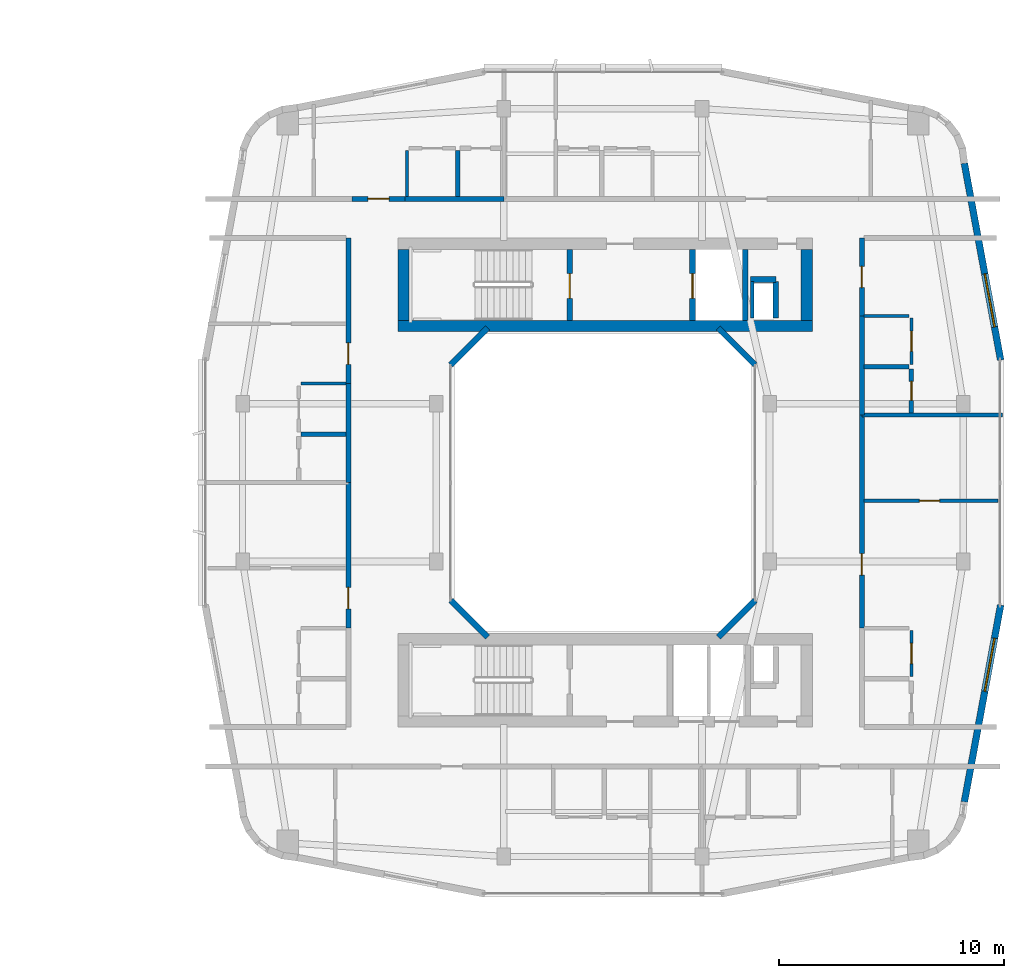
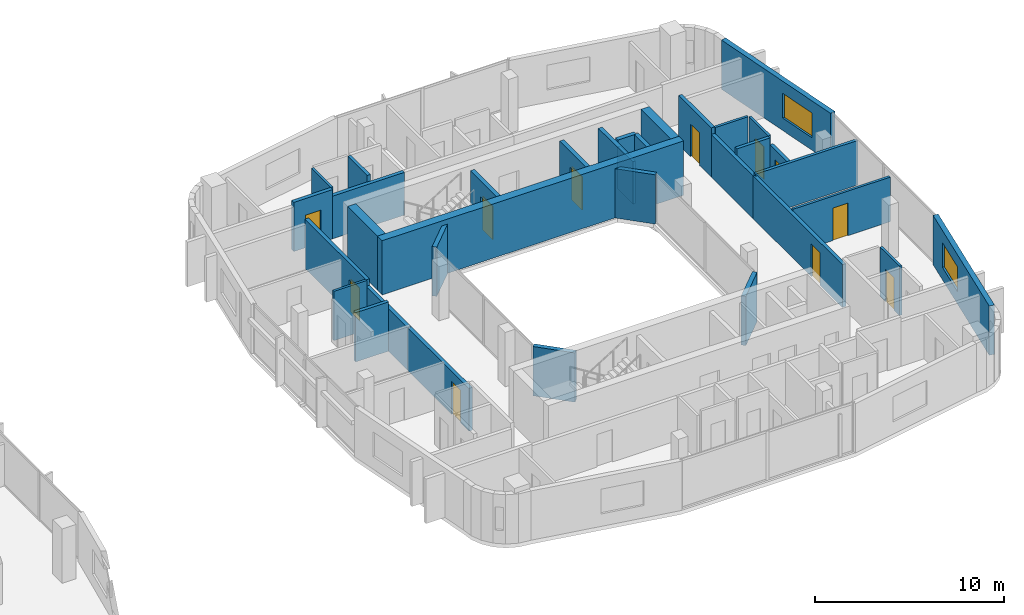
# One storey, part 18 of 25: 34 walls, 11 doors, 2 windows, 13 openings.
"""IFC4 building model written with IfcOpenShell, lengths in metres."""

from ifc_helpers import new_model, si_unit, derived_unit, direction, frame, frame_2d, origin, place, context, subcontext, project, spatial, rectangle, extrude, material, layer, layer_set, type_object, element, fill, save


model = new_model("IFC4")

# Units and contexts
model_context = context("Model", 3, precision=1e-05, world=origin(), true_north=direction((0.0, 1.0)))
body_context = subcontext(model_context, "Body", "Model", "MODEL_VIEW")
ifc_project = project(units=[si_unit("LENGTHUNIT", "METRE"), si_unit("AREAUNIT", "SQUARE_METRE"), si_unit("VOLUMEUNIT", "CUBIC_METRE"), si_unit("PLANEANGLEUNIT", "RADIAN"), si_unit("MASSUNIT", "GRAM", prefix="KILO"), derived_unit("THERMALTRANSMITTANCEUNIT", [(si_unit("POWERUNIT", "WATT"), 1), (si_unit("LENGTHUNIT", "METRE"), -2), (si_unit("THERMODYNAMICTEMPERATUREUNIT", "KELVIN"), -1)])], contexts=[model_context])

# Site, building, storey
site_placement = place(None, origin())
site = spatial("IfcSite", under=ifc_project, at=site_placement, CompositionType="ELEMENT")
building_placement = place(site_placement, origin())
building = spatial("IfcBuilding", under=site, at=building_placement, Name="Kivonza Crest Hotel", CompositionType="ELEMENT")
storey_placement = place(building_placement, frame((0.0, 0.0, 87.0)))
storey = spatial("IfcBuildingStorey", under=building, at=storey_placement, Name="L23", CompositionType="ELEMENT", Elevation=87.0)

# Walls
ifc_material_1 = material(Name="High-density acoustic masonry inter-tenancy wall", Category="masonry")
ifc_layer_1 = layer(ifc_material_1, 0.179931640625)
ifc_layer_set_1 = layer_set([ifc_layer_1], Name="High-density acoustic masonry inter-tenancy wall")
wall_type_1 = type_object("IfcWallType", Name="WL-ACOU-180", PredefinedType="SOLIDWALL", material=ifc_layer_set_1)
wall_1_placement = place(storey_placement, frame((88.5, 28.0, 0.0), z_axis=(0.0, 0.0, 1.0), x_axis=(1.0, 0.0, 0.0)))
element("IfcWall", 1, at=wall_1_placement, inside=storey, type_object=wall_type_1, Name="L23 interior partition WA-L23-T2E-DIV1", PredefinedType="SOLIDWALL", context=body_context, shape_type="SweptSolid", body=[
    extrude(rectangle(XDim=6.239990234375, YDim=0.179931640625, at=frame_2d((3.1201171875, 0.0))), origin(), (0.0, 0.0, 1.0), 2.875),
])
ifc_material_2 = material(Name="Autoclaved aerated concrete blockwork", Category="masonry")
ifc_layer_2 = layer(ifc_material_2, 0.219970703125)
ifc_layer_set_2 = layer_set([ifc_layer_2], Name="Autoclaved aerated concrete blockwork")
wall_type_2 = type_object("IfcWallType", Name="WL-ACOU-220", PredefinedType="SOLIDWALL", material=ifc_layer_set_2)
wall_2_placement = place(storey_placement, frame((68.219970703125, 37.60009765625, 0.0), z_axis=(0.0, 0.0, 1.0), x_axis=(1.0, 0.0, 0.0)))
element("IfcWall", 2, at=wall_2_placement, inside=storey, type_object=wall_type_2, Name="L23 interior partition WA-L23-A01-RCORR", PredefinedType="SOLIDWALL", context=body_context, shape_type="SweptSolid", body=[
    extrude(rectangle(XDim=4.380126953125, YDim=0.219970703125, at=frame_2d((2.18994140625, 0.0))), origin(), (0.0, 0.0, 1.0), 2.7548828125),
])

# Wall, opening, door
wall_3_placement = place(storey_placement, frame((65.85009765625, 37.60009765625, 0.0), z_axis=(0.0, 0.0, 1.0), x_axis=(1.0, 0.0, 0.0)))
wall_3 = element("IfcWall", 3, at=wall_3_placement, inside=storey, type_object=wall_type_2, Name="L23 interior partition WA-L23-A01-MCORR", PredefinedType="SOLIDWALL", context=body_context, shape_type="SweptSolid", body=[
    extrude(rectangle(XDim=2.369873046875, YDim=0.219970703125, at=frame_2d((1.18505859375, 0.0))), origin(), (0.0, 0.0, 1.0), 3.179931640625),
])
opening_1_placement = place(wall_3_placement, frame((0.7099609375, 0.0, 0.0)))
opening_1 = element("IfcOpeningElement", 4, at=opening_1_placement, cuts=wall_3, Name="Opening DU-60", PredefinedType="OPENING", context=body_context, shape_type="SweptSolid", body=[
    extrude(rectangle(XDim=0.949951171875, YDim=2.10009765625, at=frame_2d((0.47509765625, 1.050048828125))), frame((0.0, 0.1201171875, 0.0), z_axis=(0.0, -1.0, 0.0), x_axis=(1.0, 0.0, 0.0)), (0.0, 0.0, 1.0), 0.239990234375),
])
ifc_material_3 = material(Name="Hardwood timber oak", Category="wood")
door_type_1 = type_object("IfcDoorType", Name="DR-UNIT-950", OperationType="NOTDEFINED", PredefinedType="DOOR", material=ifc_material_3)
door_1_placement = place(opening_1_placement, origin())
door_1 = element("IfcDoor", 5, at=door_1_placement, inside=storey, type_object=door_type_1, Name="L23 A01 apartment entrance fire door", OperationType="SINGLE_SWING_LEFT", OverallHeight=2.10009765625, OverallWidth=0.949951171875, PredefinedType="DOOR", context=body_context, shape_type="SweptSolid", body=[
    extrude(rectangle(XDim=0.949951171875, YDim=2.10009765625, at=frame_2d((0.47509765625, 1.050048828125))), frame((0.0, 0.02490234375, 0.0), z_axis=(0.0, -1.0, 0.0), x_axis=(1.0, 0.0, 0.0)), (0.0, 0.0, 1.0), 0.050048828125),
])
fill(opening_1, door_1)

wall_4_placement = place(storey_placement, frame((65.699951171875, 18.5400390625, 0.0), z_axis=(0.0, 0.0, 1.0), x_axis=(0.0, 1.0, 0.0)))
wall_4 = element("IfcWall", 6, at=wall_4_placement, inside=storey, type_object=wall_type_2, Name="L23 interior partition WA-L23-A05-MCORR", PredefinedType="SOLIDWALL", context=body_context, shape_type="SweptSolid", body=[
    extrude(rectangle(XDim=6.4599609375, YDim=0.219970703125, at=frame_2d((3.22998046875, 0.0))), origin(), (0.0, 0.0, 1.0), 2.7548828125),
])
opening_2_placement = place(wall_4_placement, frame((0.85498046875, 0.0, 0.0)))
opening_2 = element("IfcOpeningElement", 7, at=opening_2_placement, cuts=wall_4, Name="Opening DU-60", PredefinedType="OPENING", context=body_context, shape_type="SweptSolid", body=[
    extrude(rectangle(XDim=0.949951171875, YDim=2.10009765625, at=frame_2d((0.47509765625, 1.050048828125))), frame((0.0, 0.1201171875, 0.0), z_axis=(0.0, -1.0, 0.0), x_axis=(1.0, 0.0, 0.0)), (0.0, 0.0, 1.0), 0.239990234375),
])
door_2_placement = place(opening_2_placement, origin())
door_2 = element("IfcDoor", 8, at=door_2_placement, inside=storey, type_object=door_type_1, Name="L23 A05 apartment entrance fire door", OperationType="SINGLE_SWING_LEFT", OverallHeight=2.10009765625, OverallWidth=0.949951171875, PredefinedType="DOOR", context=body_context, shape_type="SweptSolid", body=[
    extrude(rectangle(XDim=0.949951171875, YDim=2.10009765625, at=frame_2d((0.47509765625, 1.050048828125))), frame((0.0, 0.02490234375, 0.0), z_axis=(0.0, -1.0, 0.0), x_axis=(1.0, 0.0, 0.0)), (0.0, 0.0, 1.0), 0.050048828125),
])
fill(opening_2, door_2)

# Wall
wall_5_placement = place(storey_placement, frame((65.699951171875, 25.0, 0.0), z_axis=(0.0, 0.0, 1.0), x_axis=(0.0, 1.0, 0.0)))
element("IfcWall", 9, at=wall_5_placement, inside=storey, type_object=wall_type_2, Name="L23 interior partition WA-L23-A06-BCORR", PredefinedType="SOLIDWALL", context=body_context, shape_type="SweptSolid", body=[
    extrude(rectangle(XDim=4.39990234375, YDim=0.219970703125, at=frame_2d((2.199951171875, 0.0))), origin(), (0.0, 0.0, 1.0), 2.7548828125),
])

# Wall, opening, door
wall_6_placement = place(storey_placement, frame((65.699951171875, 29.39990234375, 0.0), z_axis=(0.0, 0.0, 1.0), x_axis=(0.0, 1.0, 0.0)))
wall_6 = element("IfcWall", 10, at=wall_6_placement, inside=storey, type_object=wall_type_2, Name="L23 interior partition WA-L23-A06-MCORR", PredefinedType="SOLIDWALL", context=body_context, shape_type="SweptSolid", body=[
    extrude(rectangle(XDim=6.460205078125, YDim=0.219970703125, at=frame_2d((3.22998046875, 0.0))), origin(), (0.0, 0.0, 1.0), 3.179931640625),
])
opening_3_placement = place(wall_6_placement, frame((0.85498046875, 0.0, 0.0)))
opening_3 = element("IfcOpeningElement", 11, at=opening_3_placement, cuts=wall_6, Name="Opening DU-60", PredefinedType="OPENING", context=body_context, shape_type="SweptSolid", body=[
    extrude(rectangle(XDim=0.949951171875, YDim=2.10009765625, at=frame_2d((0.47509765625, 1.050048828125))), frame((0.0, 0.1201171875, 0.0), z_axis=(0.0, -1.0, 0.0), x_axis=(1.0, 0.0, 0.0)), (0.0, 0.0, 1.0), 0.239990234375),
])
door_3_placement = place(opening_3_placement, origin())
door_3 = element("IfcDoor", 12, at=door_3_placement, inside=storey, type_object=door_type_1, Name="L23 A06 apartment entrance fire door", OperationType="SINGLE_SWING_RIGHT", OverallHeight=2.10009765625, OverallWidth=0.949951171875, PredefinedType="DOOR", context=body_context, shape_type="SweptSolid", body=[
    extrude(rectangle(XDim=0.949951171875, YDim=2.10009765625, at=frame_2d((0.47509765625, 1.050048828125))), frame((0.0, 0.02490234375, 0.0), z_axis=(0.0, -1.0, 0.0), x_axis=(1.0, 0.0, 0.0)), (0.0, 0.0, 1.0), 0.050048828125),
])
fill(opening_3, door_3)

wall_7_placement = place(storey_placement, frame((88.5, 18.5400390625, 0.0), z_axis=(0.0, 0.0, 1.0), x_axis=(0.0, 1.0, 0.0)))
wall_7 = element("IfcWall", 13, at=wall_7_placement, inside=storey, type_object=wall_type_2, Name="L23 interior partition WA-L23-A07-MCORR", PredefinedType="SOLIDWALL", context=body_context, shape_type="SweptSolid", body=[
    extrude(rectangle(XDim=9.4599609375, YDim=0.219970703125, at=frame_2d((4.72998046875, 0.0))), origin(), (0.0, 0.0, 1.0), 2.7548828125),
])
opening_4_placement = place(wall_7_placement, frame((2.35498046875, 0.0, 0.0)))
opening_4 = element("IfcOpeningElement", 14, at=opening_4_placement, cuts=wall_7, Name="Opening DU-60", PredefinedType="OPENING", context=body_context, shape_type="SweptSolid", body=[
    extrude(rectangle(XDim=0.949951171875, YDim=2.10009765625, at=frame_2d((0.47509765625, 1.050048828125))), frame((0.0, 0.1201171875, 0.0), z_axis=(0.0, -1.0, 0.0), x_axis=(1.0, 0.0, 0.0)), (0.0, 0.0, 1.0), 0.239990234375),
])
door_4_placement = place(opening_4_placement, frame((0.949951171875, 0.0, 0.0), z_axis=(0.0, 0.0, 1.0), x_axis=(-1.0, 0.0, 0.0)))
door_4 = element("IfcDoor", 15, at=door_4_placement, inside=storey, type_object=door_type_1, Name="L23 A07 apartment entrance fire door", OperationType="SINGLE_SWING_LEFT", OverallHeight=2.10009765625, OverallWidth=0.949951171875, PredefinedType="DOOR", context=body_context, shape_type="SweptSolid", body=[
    extrude(rectangle(XDim=0.949951171875, YDim=2.10009765625, at=frame_2d((0.47509765625, 1.050048828125))), frame((0.0, 0.02490234375, 0.0), z_axis=(0.0, -1.0, 0.0), x_axis=(1.0, 0.0, 0.0)), (0.0, 0.0, 1.0), 0.050048828125),
])
fill(opening_4, door_4)

# Wall
wall_8_placement = place(storey_placement, frame((88.5, 28.0, 0.0), z_axis=(0.0, 0.0, 1.0), x_axis=(0.0, 1.0, 0.0)))
element("IfcWall", 16, at=wall_8_placement, inside=storey, type_object=wall_type_2, Name="L23 interior partition WA-L23-A08-BCORR", PredefinedType="SOLIDWALL", context=body_context, shape_type="SweptSolid", body=[
    extrude(rectangle(XDim=4.39990234375, YDim=0.219970703125, at=frame_2d((2.199951171875, 0.0))), origin(), (0.0, 0.0, 1.0), 2.7548828125),
])

# Wall, opening, door
wall_9_placement = place(storey_placement, frame((88.5, 32.39990234375, 0.0), z_axis=(0.0, 0.0, 1.0), x_axis=(0.0, 1.0, 0.0)))
wall_9 = element("IfcWall", 17, at=wall_9_placement, inside=storey, type_object=wall_type_2, Name="L23 interior partition WA-L23-A08-MCORR", PredefinedType="SOLIDWALL", context=body_context, shape_type="SweptSolid", body=[
    extrude(rectangle(XDim=3.460205078125, YDim=0.219970703125, at=frame_2d((1.72998046875, 0.0))), origin(), (0.0, 0.0, 1.0), 3.179931640625),
])
opening_5_placement = place(wall_9_placement, frame((1.2548828125, 0.0, 0.0)))
opening_5 = element("IfcOpeningElement", 18, at=opening_5_placement, cuts=wall_9, Name="Opening DU-60", PredefinedType="OPENING", context=body_context, shape_type="SweptSolid", body=[
    extrude(rectangle(XDim=0.949951171875, YDim=2.10009765625, at=frame_2d((0.47509765625, 1.050048828125))), frame((0.0, 0.1201171875, 0.0), z_axis=(0.0, -1.0, 0.0), x_axis=(1.0, 0.0, 0.0)), (0.0, 0.0, 1.0), 0.239990234375),
])
door_5_placement = place(opening_5_placement, frame((0.949951171875, 0.0, 0.0), z_axis=(0.0, 0.0, 1.0), x_axis=(-1.0, 0.0, 0.0)))
door_5 = element("IfcDoor", 19, at=door_5_placement, inside=storey, type_object=door_type_1, Name="L23 A08 apartment entrance fire door", OperationType="SINGLE_SWING_RIGHT", OverallHeight=2.10009765625, OverallWidth=0.949951171875, PredefinedType="DOOR", context=body_context, shape_type="SweptSolid", body=[
    extrude(rectangle(XDim=0.949951171875, YDim=2.10009765625, at=frame_2d((0.47509765625, 1.050048828125))), frame((0.0, 0.02490234375, 0.0), z_axis=(0.0, -1.0, 0.0), x_axis=(1.0, 0.0, 0.0)), (0.0, 0.0, 1.0), 0.050048828125),
])
fill(opening_5, door_5)

# Walls
ifc_material_4 = material(Name="Concrete C60/75", Category="concrete")
ifc_layer_3 = layer(ifc_material_4, 0.5)
ifc_layer_set_3 = layer_set([ifc_layer_3], Name="Concrete C60/75")
wall_type_3 = type_object("IfcWallType", Name="WL-CORE-500", PredefinedType="SHEAR", material=ifc_layer_set_3)
wall_10_placement = place(storey_placement, frame((67.89990234375, 31.949951171875, 0.0), z_axis=(0.0, 0.0, 1.0), x_axis=(1.0, 0.0, 0.0)))
element("IfcWall", 20, at=wall_10_placement, inside=storey, type_object=wall_type_3, Name="Core wall T2-N South L23", PredefinedType="SHEAR", context=body_context, shape_type="SweptSolid", body=[
    extrude(rectangle(XDim=18.400146484375, YDim=0.5, at=frame_2d((9.2001953125, 0.0))), origin(), (0.0, 0.0, 1.0), 3.5),
])
for number, where, z_axis, x_axis, name in (
    (21, (68.14990234375, 32.199951171875, 0.0), (0.0, 0.0, 1.0), (0.0, 1.0, 0.0), "Core wall T2-N West L23"),
    (22, (86.050048828125, 32.199951171875, 0.0), (0.0, 0.0, 1.0), (0.0, 1.0, 0.0), "Core wall T2-N East L23"),
):
    element("IfcWall", number, at=place(storey_placement, frame(where, z_axis=z_axis, x_axis=x_axis)), inside=storey, type_object=wall_type_3, Name=name, PredefinedType="SHEAR", context=body_context, shape_type="SweptSolid", body=[
        extrude(rectangle(XDim=3.16015625, YDim=0.5, at=frame_2d((1.580078125, 0.0))), origin(), (0.0, 0.0, 1.0), 3.5),
    ])
ifc_material_5 = material(Name="Precast concrete C40/50", Category="concrete")
ifc_layer_4 = layer(ifc_material_5, 0.260009765625)
ifc_layer_set_4 = layer_set([ifc_layer_4], Name="Precast concrete C40/50")
wall_type_4 = type_object("IfcWallType", Name="WL-EXT-260", PredefinedType="STANDARD", material=ifc_layer_set_4)
for number, where, z_axis, x_axis, name in (
    (23, (82.1220703125, 18.137939453125, 0.0), (0.0, 0.0, 1.0), (0.707106781187, 0.707106781187, 0.0), "L23 T2 light-well exterior wall 2"),
    (24, (83.756103515625, 30.22802734375, 0.0), (0.0, 0.0, 1.0), (-0.707106781187, 0.707106781187, 0.0), "L23 T2 light-well exterior wall 4"),
    (25, (71.8779296875, 31.862060546875, 0.0), (0.0, 0.0, 1.0), (-0.707106781187, -0.707106781187, 0.0), "L23 T2 light-well exterior wall 6"),
    (26, (70.243896484375, 19.77197265625, 0.0), (0.0, 0.0, 1.0), (0.707106781187, -0.707106781187, 0.0), "L23 T2 light-well exterior wall 8"),
):
    element("IfcWall", number, at=place(storey_placement, frame(where, z_axis=z_axis, x_axis=x_axis)), inside=storey, type_object=wall_type_4, Name=name, PredefinedType="STANDARD", context=body_context, shape_type="SweptSolid", body=[
        extrude(rectangle(XDim=2.310791015625, YDim=0.260009765625, at=frame_2d((1.1552734375, 0.0))), origin(), (0.0, 0.0, 1.0), 3.179931640625),
    ])

# Wall, opening, window
ifc_layer_5 = layer(ifc_material_5, 0.300048828125)
ifc_layer_set_5 = layer_set([ifc_layer_5], Name="Precast concrete C40/50")
wall_type_5 = type_object("IfcWallType", Name="WL-EXT-300", PredefinedType="STANDARD", material=ifc_layer_set_5)
wall_11_placement = place(storey_placement, frame((93.051025390625, 10.819091796875, 0.0), z_axis=(0.0, 0.0, 1.0), x_axis=(0.181241420611, 0.983438634311, 0.0)))
wall_11 = element("IfcWall", 27, at=wall_11_placement, inside=storey, type_object=wall_type_5, Name="L23 T2 exterior insulated wall 16", PredefinedType="STANDARD", context=body_context, shape_type="SweptSolid", body=[
    extrude(rectangle(XDim=8.88916015625, YDim=0.300048828125, at=frame_2d((4.444580078125, 0.0))), origin(), (0.0, 0.0, 1.0), 3.179931640625),
])
opening_6_placement = place(wall_11_placement, frame((4.992919921875, 0.0, 0.800048828125)))
opening_6 = element("IfcOpeningElement", 28, at=opening_6_placement, cuts=wall_11, Name="Opening WN-05", PredefinedType="OPENING", context=body_context, shape_type="SweptSolid", body=[
    extrude(rectangle(XDim=2.39990234375, YDim=1.60009765625, at=frame_2d((1.199951171875, 0.800048828125))), frame((0.0, 0.16015625, 0.0), z_axis=(0.0, -1.0, 0.0), x_axis=(1.0, 0.0, 0.0)), (0.0, 0.0, 1.0), 0.320068359375),
])
ifc_material_6 = material(Name="Thermally broken bronze aluminium and low-E double glazing", Category="aluminium")
window_type = type_object("IfcWindowType", Name="WN-240x160", PartitioningType="TRIPLE_PANEL_VERTICAL", PredefinedType="WINDOW", material=ifc_material_6)
window_1_placement = place(opening_6_placement, origin())
window_1 = element("IfcWindow", 29, at=window_1_placement, inside=storey, type_object=window_type, Name="L23 T2 facade window 16", OverallHeight=1.60009765625, OverallWidth=2.39990234375, PartitioningType="SINGLE_PANEL", PredefinedType="WINDOW", context=body_context, shape_type="SweptSolid", body=[
    extrude(rectangle(XDim=2.39990234375, YDim=1.60009765625, at=frame_2d((1.199951171875, 0.800048828125))), frame((0.0, 0.030029296875, 0.0), z_axis=(0.0, -1.0, 0.0), x_axis=(1.0, 0.0, 0.0)), (0.0, 0.0, 1.0), 0.06005859375),
])
fill(opening_6, window_1)

wall_12_placement = place(storey_placement, frame((94.662109375, 30.43896484375, 0.0), z_axis=(0.0, 0.0, 1.0), x_axis=(-0.181241420611, 0.983438634311, 0.0)))
wall_12 = element("IfcWall", 30, at=wall_12_placement, inside=storey, type_object=wall_type_5, Name="L23 T2 exterior insulated wall 18", PredefinedType="STANDARD", context=body_context, shape_type="SweptSolid", body=[
    extrude(rectangle(XDim=8.88916015625, YDim=0.300048828125, at=frame_2d((4.444580078125, 0.0))), origin(), (0.0, 0.0, 1.0), 3.179931640625),
])
opening_7_placement = place(wall_12_placement, frame((1.4970703125, 0.0, 0.800048828125)))
opening_7 = element("IfcOpeningElement", 31, at=opening_7_placement, cuts=wall_12, Name="Opening WN-05", PredefinedType="OPENING", context=body_context, shape_type="SweptSolid", body=[
    extrude(rectangle(XDim=2.39990234375, YDim=1.60009765625, at=frame_2d((1.199951171875, 0.800048828125))), frame((0.0, 0.16015625, 0.0), z_axis=(0.0, -1.0, 0.0), x_axis=(1.0, 0.0, 0.0)), (0.0, 0.0, 1.0), 0.320068359375),
])
window_2_placement = place(opening_7_placement, origin())
window_2 = element("IfcWindow", 32, at=window_2_placement, inside=storey, type_object=window_type, Name="L23 T2 facade window 18", OverallHeight=1.60009765625, OverallWidth=2.39990234375, PartitioningType="SINGLE_PANEL", PredefinedType="WINDOW", context=body_context, shape_type="SweptSolid", body=[
    extrude(rectangle(XDim=2.39990234375, YDim=1.60009765625, at=frame_2d((1.199951171875, 0.800048828125))), frame((0.0, 0.030029296875, 0.0), z_axis=(0.0, -1.0, 0.0), x_axis=(1.0, 0.0, 0.0)), (0.0, 0.0, 1.0), 0.06005859375),
])
fill(opening_7, window_2)

# Walls
ifc_material_7 = material(Name="Concrete blockwork fire-compartment wall", Category="masonry")
ifc_layer_6 = layer(ifc_material_7, 0.25)
ifc_layer_set_6 = layer_set([ifc_layer_6], Name="Concrete blockwork fire-compartment wall")
wall_type_6 = type_object("IfcWallType", Name="WL-FIRE-250", PredefinedType="SOLIDWALL", material=ifc_layer_set_6)
wall_13_placement = place(storey_placement, frame((84.679931640625, 32.300048828125, 0.0), z_axis=(0.0, 0.0, 1.0), x_axis=(0.0, 1.0, 0.0)))
element("IfcWall", 33, at=wall_13_placement, inside=storey, type_object=wall_type_6, Name="L23 interior partition WA-L23-T2-N-MEPR-E", PredefinedType="SOLIDWALL", context=body_context, shape_type="SweptSolid", body=[
    extrude(rectangle(XDim=1.619873046875, YDim=0.25, at=frame_2d((0.81005859375, 0.0))), origin(), (0.0, 0.0, 1.0), 3.179931640625),
])
wall_14_placement = place(storey_placement, frame((83.550048828125, 34.02001953125, 0.0), z_axis=(0.0, 0.0, 1.0), x_axis=(1.0, 0.0, 0.0)))
element("IfcWall", 34, at=wall_14_placement, inside=storey, type_object=wall_type_6, Name="L23 interior partition WA-L23-T2-N-MEPR-H", PredefinedType="SOLIDWALL", context=body_context, shape_type="SweptSolid", body=[
    extrude(rectangle(XDim=1.1298828125, YDim=0.25, at=frame_2d((0.56494140625, 0.0))), origin(), (0.0, 0.0, 1.0), 3.179931640625),
])
ifc_material_8 = material(Name="Twin-stud acoustic gypsum board partition", Category="gypsum")
ifc_layer_7 = layer(ifc_material_8, 0.14990234375)
ifc_layer_set_7 = layer_set([ifc_layer_7], Name="Twin-stud acoustic gypsum board partition")
wall_type_7 = type_object("IfcWallType", Name="WL-PART-150", PredefinedType="PARTITIONING", material=ifc_layer_set_7)
wall_15_placement = place(storey_placement, frame((83.6298828125, 32.300048828125, 0.0), z_axis=(0.0, 0.0, 1.0), x_axis=(0.0, 1.0, 0.0)))
element("IfcWall", 35, at=wall_15_placement, inside=storey, type_object=wall_type_7, Name="L23 interior partition WA-L23-T2-N-MEPR-W", PredefinedType="PARTITIONING", context=body_context, shape_type="SweptSolid", body=[
    extrude(rectangle(XDim=1.619873046875, YDim=0.14990234375, at=frame_2d((0.81005859375, 0.0))), origin(), (0.0, 0.0, 1.0), 2.7548828125),
])
wall_16_placement = place(storey_placement, frame((68.300048828125, 37.699951171875, 0.0), z_axis=(0.0, 0.0, 1.0), x_axis=(0.0, 1.0, 0.0)))
element("IfcWall", 36, at=wall_16_placement, inside=storey, type_object=wall_type_7, Name="L23 interior partition WP-L23-A01-KF", PredefinedType="PARTITIONING", context=body_context, shape_type="SweptSolid", body=[
    extrude(rectangle(XDim=2.050048828125, YDim=0.14990234375, at=frame_2d((1.02490234375, 0.0))), origin(), (0.0, 0.0, 1.0), 3.179931640625),
])
wall_17_placement = place(storey_placement, frame((63.60009765625, 29.39990234375, 0.0), z_axis=(0.0, 0.0, 1.0), x_axis=(1.0, 0.0, 0.0)))
element("IfcWall", 37, at=wall_17_placement, inside=storey, type_object=wall_type_7, Name="L23 interior partition WP-L23-A06-KF", PredefinedType="PARTITIONING", context=body_context, shape_type="SweptSolid", body=[
    extrude(rectangle(XDim=2.0, YDim=0.14990234375, at=frame_2d((1.0, 0.0))), origin(), (0.0, 0.0, 1.0), 3.179931640625),
])

# Wall, opening, door
wall_18_placement = place(storey_placement, frame((88.60009765625, 24.199951171875, 0.0), z_axis=(0.0, 0.0, 1.0), x_axis=(1.0, 0.0, 0.0)))
wall_18 = element("IfcWall", 38, at=wall_18_placement, inside=storey, type_object=wall_type_7, Name="L23 interior partition WP-L23-A07-BD1", PredefinedType="PARTITIONING", context=body_context, shape_type="SweptSolid", body=[
    extrude(rectangle(XDim=5.93994140625, YDim=0.14990234375, at=frame_2d((2.969970703125, 0.0))), origin(), (0.0, 0.0, 1.0), 2.875),
])
opening_8_placement = place(wall_18_placement, frame((2.449951171875, 0.0, 0.0)))
opening_8 = element("IfcOpeningElement", 39, at=opening_8_placement, cuts=wall_18, Name="Opening DI-90", PredefinedType="OPENING", context=body_context, shape_type="SweptSolid", body=[
    extrude(rectangle(XDim=0.89990234375, YDim=2.10009765625, at=frame_2d((0.449951171875, 1.050048828125))), frame((0.0, 0.0849609375, 0.0), z_axis=(0.0, -1.0, 0.0), x_axis=(1.0, 0.0, 0.0)), (0.0, 0.0, 1.0), 0.169921875),
])
door_type_2 = type_object("IfcDoorType", Name="DR-INT-900", OperationType="NOTDEFINED", PredefinedType="DOOR", material=ifc_material_3)
door_6_placement = place(opening_8_placement, origin())
door_6 = element("IfcDoor", 40, at=door_6_placement, inside=storey, type_object=door_type_2, Name="L23 A07 bedroom door", OperationType="SINGLE_SWING_RIGHT", OverallHeight=2.10009765625, OverallWidth=0.89990234375, PredefinedType="DOOR", context=body_context, shape_type="SweptSolid", body=[
    extrude(rectangle(XDim=0.89990234375, YDim=2.10009765625, at=frame_2d((0.449951171875, 1.050048828125))), frame((0.0, 0.02490234375, 0.0), z_axis=(0.0, -1.0, 0.0), x_axis=(1.0, 0.0, 0.0)), (0.0, 0.0, 1.0), 0.050048828125),
])
fill(opening_8, door_6)

wall_19_placement = place(storey_placement, frame((90.699951171875, 16.389892578125, 0.0), z_axis=(0.0, 0.0, 1.0), x_axis=(0.0, 1.0, 0.0)))
wall_19 = element("IfcWall", 41, at=wall_19_placement, inside=storey, type_object=wall_type_7, Name="L23 interior partition WP-L23-A07-KSVC", PredefinedType="PARTITIONING", context=body_context, shape_type="SweptSolid", body=[
    extrude(rectangle(XDim=2.050048828125, YDim=0.14990234375, at=frame_2d((1.02490234375, 0.0))), origin(), (0.0, 0.0, 1.0), 3.179931640625),
])
opening_9_placement = place(wall_19_placement, frame((0.574951171875, 0.0, 0.0)))
opening_9 = element("IfcOpeningElement", 42, at=opening_9_placement, cuts=wall_19, Name="Opening DI-90", PredefinedType="OPENING", context=body_context, shape_type="SweptSolid", body=[
    extrude(rectangle(XDim=0.89990234375, YDim=2.10009765625, at=frame_2d((0.449951171875, 1.050048828125))), frame((0.0, 0.0849609375, 0.0), z_axis=(0.0, -1.0, 0.0), x_axis=(1.0, 0.0, 0.0)), (0.0, 0.0, 1.0), 0.169921875),
])
door_7_placement = place(opening_9_placement, frame((0.89990234375, 0.0, 0.0), z_axis=(0.0, 0.0, 1.0), x_axis=(-1.0, 0.0, 0.0)))
door_7 = element("IfcDoor", 43, at=door_7_placement, inside=storey, type_object=door_type_2, Name="L23 A07 apartment kitchen door", OperationType="SINGLE_SWING_LEFT", OverallHeight=2.10009765625, OverallWidth=0.89990234375, PredefinedType="DOOR", context=body_context, shape_type="SweptSolid", body=[
    extrude(rectangle(XDim=0.89990234375, YDim=2.10009765625, at=frame_2d((0.449951171875, 1.050048828125))), frame((0.0, 0.02490234375, 0.0), z_axis=(0.0, -1.0, 0.0), x_axis=(1.0, 0.0, 0.0)), (0.0, 0.0, 1.0), 0.050048828125),
])
fill(opening_9, door_7)

# Wall
wall_20_placement = place(storey_placement, frame((88.60009765625, 32.39990234375, 0.0), z_axis=(0.0, 0.0, 1.0), x_axis=(1.0, 0.0, 0.0)))
element("IfcWall", 44, at=wall_20_placement, inside=storey, type_object=wall_type_7, Name="L23 interior partition WP-L23-A08-KF", PredefinedType="PARTITIONING", context=body_context, shape_type="SweptSolid", body=[
    extrude(rectangle(XDim=2.0, YDim=0.14990234375, at=frame_2d((1.0, 0.0))), origin(), (0.0, 0.0, 1.0), 3.179931640625),
])

# Wall, opening, door
wall_21_placement = place(storey_placement, frame((90.699951171875, 30.25, 0.0), z_axis=(0.0, 0.0, 1.0), x_axis=(0.0, 1.0, 0.0)))
wall_21 = element("IfcWall", 45, at=wall_21_placement, inside=storey, type_object=wall_type_7, Name="L23 interior partition WP-L23-A08-KSVC", PredefinedType="PARTITIONING", context=body_context, shape_type="SweptSolid", body=[
    extrude(rectangle(XDim=2.050048828125, YDim=0.14990234375, at=frame_2d((1.02490234375, 0.0))), origin(), (0.0, 0.0, 1.0), 3.179931640625),
])
opening_10_placement = place(wall_21_placement, frame((0.574951171875, 0.0, 0.0)))
opening_10 = element("IfcOpeningElement", 46, at=opening_10_placement, cuts=wall_21, Name="Opening DI-90", PredefinedType="OPENING", context=body_context, shape_type="SweptSolid", body=[
    extrude(rectangle(XDim=0.89990234375, YDim=2.10009765625, at=frame_2d((0.449951171875, 1.050048828125))), frame((0.0, 0.0849609375, 0.0), z_axis=(0.0, -1.0, 0.0), x_axis=(1.0, 0.0, 0.0)), (0.0, 0.0, 1.0), 0.169921875),
])
door_8_placement = place(opening_10_placement, frame((0.89990234375, 0.0, 0.0), z_axis=(0.0, 0.0, 1.0), x_axis=(-1.0, 0.0, 0.0)))
door_8 = element("IfcDoor", 47, at=door_8_placement, inside=storey, type_object=door_type_2, Name="L23 A08 apartment kitchen door", OperationType="SINGLE_SWING_RIGHT", OverallHeight=2.10009765625, OverallWidth=0.89990234375, PredefinedType="DOOR", context=body_context, shape_type="SweptSolid", body=[
    extrude(rectangle(XDim=0.89990234375, YDim=2.10009765625, at=frame_2d((0.449951171875, 1.050048828125))), frame((0.0, 0.02490234375, 0.0), z_axis=(0.0, -1.0, 0.0), x_axis=(1.0, 0.0, 0.0)), (0.0, 0.0, 1.0), 0.050048828125),
])
fill(opening_10, door_8)

# Walls
ifc_material_9 = material(Name="Moisture-resistant plumbing chase partition wall", Category="gypsum")
ifc_layer_8 = layer(ifc_material_9, 0.199951171875)
ifc_layer_set_8 = layer_set([ifc_layer_8], Name="Moisture-resistant plumbing chase partition wall")
wall_type_8 = type_object("IfcWallType", Name="WL-PLUMB-200", PredefinedType="PLUMBINGWALL", material=ifc_layer_set_8)
wall_22_placement = place(storey_placement, frame((70.550048828125, 37.699951171875, 0.0), z_axis=(0.0, 0.0, 1.0), x_axis=(0.0, 1.0, 0.0)))
element("IfcWall", 48, at=wall_22_placement, inside=storey, type_object=wall_type_8, Name="L23 interior partition WW-L23-A01-BK", PredefinedType="PLUMBINGWALL", context=body_context, shape_type="SweptSolid", body=[
    extrude(rectangle(XDim=2.050048828125, YDim=0.199951171875, at=frame_2d((1.02490234375, 0.0))), origin(), (0.0, 0.0, 1.0), 3.179931640625),
])
for number, where, z_axis, x_axis, name in (
    (49, (63.60009765625, 27.14990234375, 0.0), (0.0, 0.0, 1.0), (1.0, 0.0, 0.0), "L23 interior partition WW-L23-A06-BK"),
    (50, (88.60009765625, 30.14990234375, 0.0), (0.0, 0.0, 1.0), (1.0, 0.0, 0.0), "L23 interior partition WW-L23-A08-BK"),
):
    element("IfcWall", number, at=place(storey_placement, frame(where, z_axis=z_axis, x_axis=x_axis)), inside=storey, type_object=wall_type_8, Name=name, PredefinedType="PLUMBINGWALL", context=body_context, shape_type="SweptSolid", body=[
        extrude(rectangle(XDim=2.0, YDim=0.199951171875, at=frame_2d((1.0, 0.0))), origin(), (0.0, 0.0, 1.0), 3.179931640625),
    ])

# Wall, opening, door
wall_23_placement = place(storey_placement, frame((90.699951171875, 28.10009765625, 0.0), z_axis=(0.0, 0.0, 1.0), x_axis=(0.0, 1.0, 0.0)))
wall_23 = element("IfcWall", 51, at=wall_23_placement, inside=storey, type_object=wall_type_8, Name="L23 interior partition WW-L23-A08-BSVC", PredefinedType="PLUMBINGWALL", context=body_context, shape_type="SweptSolid", body=[
    extrude(rectangle(XDim=1.949951171875, YDim=0.199951171875, at=frame_2d((0.97509765625, 0.0))), origin(), (0.0, 0.0, 1.0), 2.7548828125),
])
opening_11_placement = place(wall_23_placement, frame((0.550048828125, 0.0, 0.0)))
opening_11 = element("IfcOpeningElement", 52, at=opening_11_placement, cuts=wall_23, Name="Opening DI-85", PredefinedType="OPENING", context=body_context, shape_type="SweptSolid", body=[
    extrude(rectangle(XDim=0.85009765625, YDim=2.10009765625, at=frame_2d((0.425048828125, 1.050048828125))), frame((0.0, 0.10986328125, 0.0), z_axis=(0.0, -1.0, 0.0), x_axis=(1.0, 0.0, 0.0)), (0.0, 0.0, 1.0), 0.219970703125),
])
door_type_3 = type_object("IfcDoorType", Name="DR-INT-850", OperationType="NOTDEFINED", PredefinedType="DOOR", material=ifc_material_3)
door_9_placement = place(opening_11_placement, frame((0.85009765625, 0.0, 0.0), z_axis=(0.0, 0.0, 1.0), x_axis=(-1.0, 0.0, 0.0)))
door_9 = element("IfcDoor", 53, at=door_9_placement, inside=storey, type_object=door_type_3, Name="L23 A08 apartment bathroom door", OperationType="SINGLE_SWING_LEFT", OverallHeight=2.10009765625, OverallWidth=0.85009765625, PredefinedType="DOOR", context=body_context, shape_type="SweptSolid", body=[
    extrude(rectangle(XDim=0.85009765625, YDim=2.10009765625, at=frame_2d((0.425048828125, 1.050048828125))), frame((0.0, 0.02490234375, 0.0), z_axis=(0.0, -1.0, 0.0), x_axis=(1.0, 0.0, 0.0)), (0.0, 0.0, 1.0), 0.050048828125),
])
fill(opening_11, door_9)

ifc_material_10 = material(Name="Concrete C50/60", Category="concrete")
ifc_layer_9 = layer(ifc_material_10, 0.25)
ifc_layer_set_9 = layer_set([ifc_layer_9], Name="Concrete C50/60")
wall_type_9 = type_object("IfcWallType", Name="WL-SHAFT-250", PredefinedType="STANDARD", material=ifc_layer_set_9)
wall_24_placement = place(storey_placement, frame((75.52490234375, 32.199951171875, 0.0), z_axis=(0.0, 0.0, 1.0), x_axis=(0.0, 1.0, 0.0)))
wall_24 = element("IfcWall", 54, at=wall_24_placement, inside=storey, type_object=wall_type_9, Name="Core shaft wall T2-N STAIR L23", PredefinedType="STANDARD", context=body_context, shape_type="SweptSolid", body=[
    extrude(rectangle(XDim=3.16015625, YDim=0.25, at=frame_2d((1.580078125, 0.0))), origin(), (0.0, 0.0, 1.0), 3.179931640625),
])
opening_12_placement = place(wall_24_placement, frame((0.97998046875, 0.0, 0.0)))
opening_12 = element("IfcOpeningElement", 55, at=opening_12_placement, cuts=wall_24, Name="Opening DF-120", PredefinedType="OPENING", context=body_context, shape_type="SweptSolid", body=[
    extrude(rectangle(XDim=1.10009765625, YDim=2.14990234375, at=frame_2d((0.550048828125, 1.074951171875))), frame((0.0, 0.135009765625, 0.0), z_axis=(0.0, -1.0, 0.0), x_axis=(1.0, 0.0, 0.0)), (0.0, 0.0, 1.0), 0.27001953125),
])
ifc_material_11 = material(Name="Galvanised steel", Category="steel")
door_type_4 = type_object("IfcDoorType", Name="DR-FD120-1100", OperationType="NOTDEFINED", PredefinedType="DOOR", material=ifc_material_11)
door_10_placement = place(opening_12_placement, frame((1.10009765625, 0.0, 0.0), z_axis=(0.0, 0.0, 1.0), x_axis=(-1.0, 0.0, 0.0)))
door_10 = element("IfcDoor", 56, at=door_10_placement, inside=storey, type_object=door_type_4, Name="L23 T2-N stair fire door", OperationType="SINGLE_SWING_LEFT", OverallHeight=2.14990234375, OverallWidth=1.10009765625, PredefinedType="DOOR", context=body_context, shape_type="SweptSolid", body=[
    extrude(rectangle(XDim=1.10009765625, YDim=2.14990234375, at=frame_2d((0.550048828125, 1.074951171875))), frame((0.0, 0.02490234375, 0.0), z_axis=(0.0, -1.0, 0.0), x_axis=(1.0, 0.0, 0.0)), (0.0, 0.0, 1.0), 0.050048828125),
])
fill(opening_12, door_10)

wall_25_placement = place(storey_placement, frame((80.97509765625, 32.199951171875, 0.0), z_axis=(0.0, 0.0, 1.0), x_axis=(0.0, 1.0, 0.0)))
wall_25 = element("IfcWall", 57, at=wall_25_placement, inside=storey, type_object=wall_type_9, Name="Core shaft wall T2-N FFL-W L23", PredefinedType="STANDARD", context=body_context, shape_type="SweptSolid", body=[
    extrude(rectangle(XDim=3.16015625, YDim=0.25, at=frame_2d((1.580078125, 0.0))), origin(), (0.0, 0.0, 1.0), 3.179931640625),
])
opening_13_placement = place(wall_25_placement, frame((0.97998046875, 0.0, 0.0)))
opening_13 = element("IfcOpeningElement", 58, at=opening_13_placement, cuts=wall_25, Name="Opening LD-120", PredefinedType="OPENING", context=body_context, shape_type="SweptSolid", body=[
    extrude(rectangle(XDim=1.10009765625, YDim=2.14990234375, at=frame_2d((0.550048828125, 1.074951171875))), frame((0.0, 0.135009765625, 0.0), z_axis=(0.0, -1.0, 0.0), x_axis=(1.0, 0.0, 0.0)), (0.0, 0.0, 1.0), 0.27001953125),
])
ifc_material_12 = material(Name="Stainless steel", Category="steel")
door_type_5 = type_object("IfcDoorType", Name="DR-LD120-1100", OperationType="NOTDEFINED", PredefinedType="DOOR", material=ifc_material_12)
door_11_placement = place(opening_13_placement, origin())
door_11 = element("IfcDoor", 59, at=door_11_placement, inside=storey, type_object=door_type_5, Name="L23 FFL-T2 firefighting lift sliding landing door", OperationType="DOUBLE_DOOR_SLIDING", OverallHeight=2.14990234375, OverallWidth=1.10009765625, PredefinedType="DOOR", context=body_context, shape_type="SweptSolid", body=[
    extrude(rectangle(XDim=1.10009765625, YDim=2.14990234375, at=frame_2d((0.550048828125, 1.074951171875))), frame((0.0, 0.02490234375, 0.0), z_axis=(0.0, -1.0, 0.0), x_axis=(1.0, 0.0, 0.0)), (0.0, 0.0, 1.0), 0.050048828125),
])
fill(opening_13, door_11)

# Wall
wall_26_placement = place(storey_placement, frame((83.324951171875, 32.199951171875, 0.0), z_axis=(0.0, 0.0, 1.0), x_axis=(0.0, 1.0, 0.0)))
element("IfcWall", 60, at=wall_26_placement, inside=storey, type_object=wall_type_9, Name="Core shaft wall T2-N FFL-E L23", PredefinedType="STANDARD", context=body_context, shape_type="SweptSolid", body=[
    extrude(rectangle(XDim=3.16015625, YDim=0.25, at=frame_2d((1.580078125, 0.0))), origin(), (0.0, 0.0, 1.0), 3.179931640625),
])

save(model, "model.ifc")
